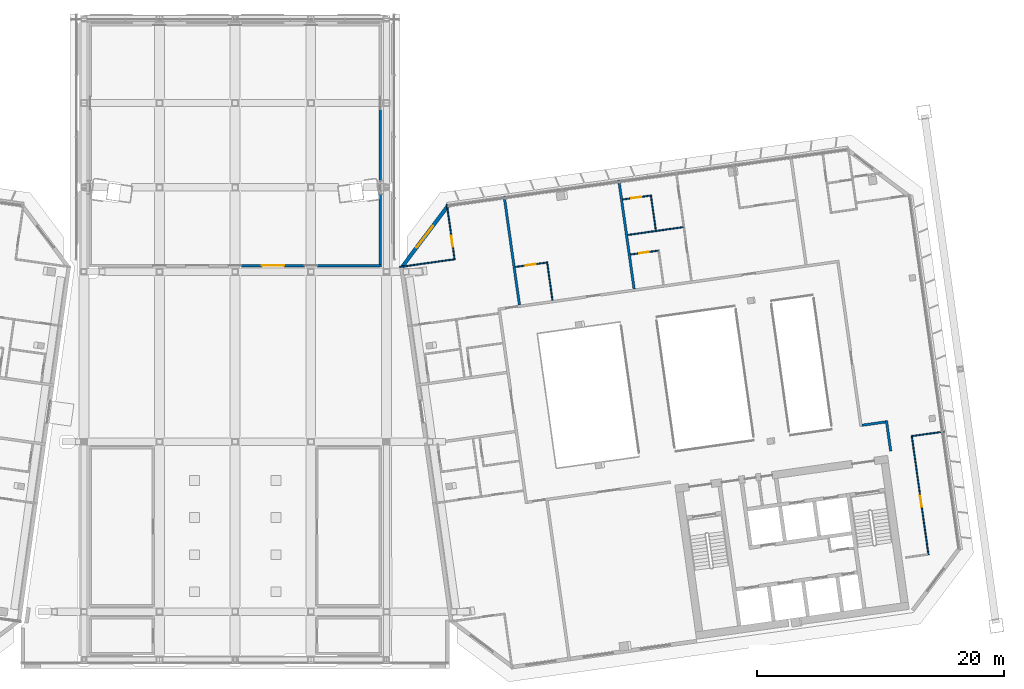
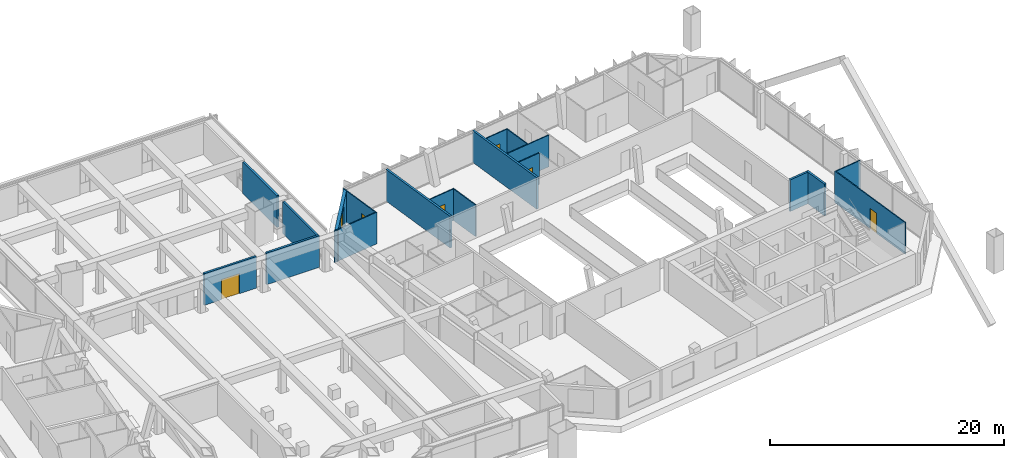
# One storey, part 20 of 28: 19 walls, 6 doors, 1 window, 7 openings.
"""IFC4 building model written with IfcOpenShell, lengths in metres."""

from ifc_helpers import new_model, si_unit, direction, frame, frame_2d, origin, place, context, subcontext, project, spatial, rectangle, extrude, material, layer, layer_set, type_object, element, fill, save


model = new_model("IFC4")

# Units and contexts
model_context = context("Model", 3, precision=1e-05, world=origin(), true_north=direction((0.0, 1.0)))
body_context = subcontext(model_context, "Body", "Model", "MODEL_VIEW")
ifc_project = project(units=[si_unit("LENGTHUNIT", "METRE"), si_unit("AREAUNIT", "SQUARE_METRE"), si_unit("VOLUMEUNIT", "CUBIC_METRE"), si_unit("PLANEANGLEUNIT", "RADIAN"), si_unit("MASSUNIT", "GRAM", prefix="KILO")], contexts=[model_context])

# Site, building, storey
site_placement = place(None, origin())
site = spatial("IfcSite", under=ifc_project, at=site_placement, CompositionType="ELEMENT")
building_placement = place(site_placement, origin())
building = spatial("IfcBuilding", under=site, at=building_placement, Name="Mirante Cascada Hotel Towers", CompositionType="ELEMENT")
storey_placement = place(building_placement, frame((0.0, 0.0, 262.2)))
storey = spatial("IfcBuildingStorey", under=building, at=storey_placement, Name="L63", CompositionType="ELEMENT", Elevation=262.2)

# Walls
ifc_material_1 = material(Name="Fire-rated plasterboard on metal studs")
ifc_layer_1 = layer(ifc_material_1, 0.2)
ifc_layer_set_1 = layer_set([ifc_layer_1], Name="Compartment wall 200 EI 120")
wall_type_1 = type_object("IfcWallType", Name="Compartment wall 200 EI 120", PredefinedType="PARTITIONING", material=ifc_layer_set_1)
wall_1_placement = place(storey_placement, frame((50.7737, -2.5139, 0.0), z_axis=(0.0, 0.0, 1.0), x_axis=(0.9902628, 0.1392105, 0.0)))
element("IfcWall", 1, at=wall_1_placement, inside=storey, type_object=wall_type_1, Name="Wall 2-L63-06", PredefinedType="PARTITIONING", context=body_context, shape_type="SweptSolid", body=[
    extrude(rectangle(XDim=1.9, YDim=0.2, at=frame_2d((0.95, 0.0))), origin(), (0.0, 0.0, 1.0), 3.3),
])
for number, where, z_axis, x_axis, name in (
    (2, (21.7859, 16.0323, 0.0), (0.0, 0.0, 1.0), (0.1391794, -0.9902672, 0.0), "Wall 2-L63-35"),
    (3, (31.0695, 17.337, 0.0), (0.0, 0.0, 1.0), (0.1391794, -0.9902672, 0.0), "Wall 2-L63-37"),
):
    element("IfcWall", number, at=place(storey_placement, frame(where, z_axis=z_axis, x_axis=x_axis)), inside=storey, type_object=wall_type_1, Name=name, PredefinedType="PARTITIONING", context=body_context, shape_type="SweptSolid", body=[
        extrude(rectangle(XDim=8.9, YDim=0.2, at=frame_2d((4.45, 0.0))), origin(), (0.0, 0.0, 1.0), 3.3),
    ])
wall_2_placement = place(storey_placement, frame((52.7403, -2.1365, 0.0), z_axis=(0.0, 0.0, 1.0), x_axis=(0.1391586, -0.9902701, 0.0)))
element("IfcWall", 4, at=wall_2_placement, inside=storey, type_object=wall_type_1, Name="Wall 2-L63-45", PredefinedType="PARTITIONING", context=body_context, shape_type="SweptSolid", body=[
    extrude(rectangle(XDim=2.5, YDim=0.2, at=frame_2d((1.25, 0.0))), origin(), (0.0, 0.0, 1.0), 3.3),
])

# Wall, opening, door
ifc_material_2 = material(Name="Masonry block", Category="masonry")
ifc_layer_2 = layer(ifc_material_2, 0.2)
ifc_layer_set_2 = layer_set([ifc_layer_2], Name="Deck room wall 200 block EI 120")
wall_type_2 = type_object("IfcWallType", Name="Deck room wall 200 block EI 120", PredefinedType="PARTITIONING", material=ifc_layer_set_2)
wall_3_placement = place(storey_placement, frame((0.5, 10.41, 0.0), z_axis=(0.0, 0.0, 1.0), x_axis=(1.0, 0.0, 0.0)))
wall_3 = element("IfcWall", 5, at=wall_3_placement, inside=storey, type_object=wall_type_2, Name="Sky park fire wall L63 W21", PredefinedType="PARTITIONING", context=body_context, shape_type="SweptSolid", body=[
    extrude(rectangle(XDim=5.13, YDim=0.2, at=frame_2d((2.565, 0.0))), origin(), (0.0, 0.0, 1.0), 3.3),
])
opening_1_placement = place(wall_3_placement, frame((1.665, 0.0, 0.0)))
opening_1 = element("IfcOpeningElement", 6, at=opening_1_placement, cuts=wall_3, Name="Opening DD-63-06", PredefinedType="OPENING", context=body_context, shape_type="SweptSolid", body=[
    extrude(rectangle(XDim=1.8, YDim=2.1, at=frame_2d((0.9, 1.05))), frame((0.0, 0.1, 0.0), z_axis=(0.0, -1.0, 0.0), x_axis=(1.0, 0.0, 0.0)), (0.0, 0.0, 1.0), 0.2),
])
ifc_material_3 = material(Name="Hollow metal fire door leaf")
door_type_1 = type_object("IfcDoorType", Name="Double fire door 1800x2100 FD60 self-closing", OperationType="DOUBLE_DOOR_SINGLE_SWING", PredefinedType="DOOR", material=ifc_material_3)
door_1_placement = place(opening_1_placement, frame((1.8, 0.0, 0.0), z_axis=(0.0, 0.0, 1.0), x_axis=(-1.0, 0.0, 0.0)))
door_1 = element("IfcDoor", 7, at=door_1_placement, inside=storey, type_object=door_type_1, Name="Fire door sky park L63 d6", OperationType="DOUBLE_DOOR_SINGLE_SWING", OverallHeight=2.1, OverallWidth=1.8, PredefinedType="DOOR", context=body_context, shape_type="SweptSolid", body=[
    extrude(rectangle(XDim=0.895, YDim=2.1, at=frame_2d((0.4475, 1.05))), frame((0.0, 0.025, 0.0), z_axis=(0.0, -1.0, 0.0), x_axis=(1.0, 0.0, 0.0)), (0.0, 0.0, 1.0), 0.05),
    extrude(rectangle(XDim=0.895, YDim=2.1, at=frame_2d((1.3525, 1.05))), frame((0.0, 0.025, 0.0), z_axis=(0.0, -1.0, 0.0), x_axis=(1.0, 0.0, 0.0)), (0.0, 0.0, 1.0), 0.05),
])
fill(opening_1, door_1)

# Walls
wall_4_placement = place(storey_placement, frame((6.63, 10.41, 0.0), z_axis=(0.0, 0.0, 1.0), x_axis=(1.0, 0.0, 0.0)))
element("IfcWall", 8, at=wall_4_placement, inside=storey, type_object=wall_type_2, Name="Sky park fire wall L63 W23", PredefinedType="PARTITIONING", context=body_context, shape_type="SweptSolid", body=[
    extrude(rectangle(XDim=5.22, YDim=0.2, at=frame_2d((2.61, 0.0))), origin(), (0.0, 0.0, 1.0), 3.3),
])
wall_5_placement = place(storey_placement, frame((11.75, 10.51, 0.0), z_axis=(0.0, 0.0, 1.0), x_axis=(0.0, 1.0, 0.0)))
element("IfcWall", 9, at=wall_5_placement, inside=storey, type_object=wall_type_2, Name="Sky park fire wall L63 W26", PredefinedType="PARTITIONING", context=body_context, shape_type="SweptSolid", body=[
    extrude(rectangle(XDim=5.74, YDim=0.2, at=frame_2d((2.87, 0.0))), origin(), (0.0, 0.0, 1.0), 3.3),
])
wall_6_placement = place(storey_placement, frame((11.75, 17.25, 0.0), z_axis=(0.0, 0.0, 1.0), x_axis=(0.0, 1.0, 0.0)))
element("IfcWall", 10, at=wall_6_placement, inside=storey, type_object=wall_type_2, Name="Sky park fire wall L63 W28", PredefinedType="PARTITIONING", context=body_context, shape_type="SweptSolid", body=[
    extrude(rectangle(XDim=5.83, YDim=0.2, at=frame_2d((2.915, 0.0))), origin(), (0.0, 0.0, 1.0), 3.3),
])
ifc_material_4 = material(Name="Plasterboard on metal studs")
ifc_layer_3 = layer(ifc_material_4, 0.1)
ifc_layer_set_3 = layer_set([ifc_layer_3], Name="Partition 100")
wall_type_3 = type_object("IfcWallType", Name="Partition 100", PredefinedType="PARTITIONING", material=ifc_layer_set_3)
wall_7_placement = place(storey_placement, frame((57.4099, -3.0286, 0.0), z_axis=(0.0, 0.0, 1.0), x_axis=(-0.9902712, -0.1391507, 0.0)))
element("IfcWall", 11, at=wall_7_placement, inside=storey, type_object=wall_type_3, Name="Wall 2-L63-05", PredefinedType="PARTITIONING", context=body_context, shape_type="SweptSolid", body=[
    extrude(rectangle(XDim=2.59, YDim=0.1, at=frame_2d((1.295, 0.0))), origin(), (0.0, 0.0, 1.0), 3.3),
])

# Wall, opening, door
wall_8_placement = place(storey_placement, frame((34.2456, 11.6235, 0.0), z_axis=(0.0, 0.0, 1.0), x_axis=(-0.9902643, -0.1391997, 0.0)))
wall_8 = element("IfcWall", 12, at=wall_8_placement, inside=storey, type_object=wall_type_3, Name="Wall 2-L63-15", PredefinedType="PARTITIONING", context=body_context, shape_type="SweptSolid", body=[
    extrude(rectangle(XDim=2.25, YDim=0.1, at=frame_2d((1.125, 0.0))), origin(), (0.0, 0.0, 1.0), 3.3),
])
opening_2_placement = place(wall_8_placement, frame((0.75, 0.0, 0.0)))
opening_2 = element("IfcOpeningElement", 13, at=opening_2_placement, cuts=wall_8, Name="Opening D2-L63-11", PredefinedType="OPENING", context=body_context, shape_type="SweptSolid", body=[
    extrude(rectangle(XDim=0.8, YDim=2.1, at=frame_2d((0.4, 1.05))), frame((0.0, 0.05, 0.0), z_axis=(0.0, -1.0, 0.0), x_axis=(1.0, 0.0, 0.0)), (0.0, 0.0, 1.0), 0.1),
])
ifc_material_5 = material(Name="Timber door leaf", Category="wood")
door_type_2 = type_object("IfcDoorType", Name="Bathroom door DG4 800x2100", OperationType="SINGLE_SWING_LEFT", PredefinedType="DOOR", material=ifc_material_5)
door_2_placement = place(opening_2_placement, origin())
door_2 = element("IfcDoor", 14, at=door_2_placement, inside=storey, type_object=door_type_2, Name="Door D2-L63-11", OperationType="SINGLE_SWING_LEFT", OverallHeight=2.1, OverallWidth=0.8, PredefinedType="DOOR", context=body_context, shape_type="SweptSolid", body=[
    extrude(rectangle(XDim=0.8, YDim=2.1, at=frame_2d((0.4, 1.05))), frame((0.0, 0.025, 0.0), z_axis=(0.0, -1.0, 0.0), x_axis=(1.0, 0.0, 0.0)), (0.0, 0.0, 1.0), 0.05),
])
fill(opening_2, door_2)

wall_9_placement = place(storey_placement, frame((22.6922, 10.3027, 0.0), z_axis=(0.0, 0.0, 1.0), x_axis=(0.9902677, 0.1391755, 0.0)))
wall_9 = element("IfcWall", 15, at=wall_9_placement, inside=storey, type_object=wall_type_3, Name="Wall 2-L63-16", PredefinedType="PARTITIONING", context=body_context, shape_type="SweptSolid", body=[
    extrude(rectangle(XDim=2.55, YDim=0.1, at=frame_2d((1.275, 0.0))), origin(), (0.0, 0.0, 1.0), 3.3),
])
opening_3_placement = place(wall_9_placement, frame((0.85, 0.0, 0.0)))
opening_3 = element("IfcOpeningElement", 16, at=opening_3_placement, cuts=wall_9, Name="Opening D2-L63-12", PredefinedType="OPENING", context=body_context, shape_type="SweptSolid", body=[
    extrude(rectangle(XDim=0.8, YDim=2.1, at=frame_2d((0.4, 1.05))), frame((0.0, 0.05, 0.0), z_axis=(0.0, -1.0, 0.0), x_axis=(1.0, 0.0, 0.0)), (0.0, 0.0, 1.0), 0.1),
])
door_3_placement = place(opening_3_placement, origin())
door_3 = element("IfcDoor", 17, at=door_3_placement, inside=storey, type_object=door_type_2, Name="Door D2-L63-12", OperationType="SINGLE_SWING_LEFT", OverallHeight=2.1, OverallWidth=0.8, PredefinedType="DOOR", context=body_context, shape_type="SweptSolid", body=[
    extrude(rectangle(XDim=0.8, YDim=2.1, at=frame_2d((0.4, 1.05))), frame((0.0, 0.025, 0.0), z_axis=(0.0, -1.0, 0.0), x_axis=(1.0, 0.0, 0.0)), (0.0, 0.0, 1.0), 0.05),
])
fill(opening_3, door_3)

# Walls
wall_10_placement = place(storey_placement, frame((13.3141, 10.2975, 0.0), z_axis=(0.0, 0.0, 1.0), x_axis=(0.9902695, 0.1391626, 0.0)))
element("IfcWall", 18, at=wall_10_placement, inside=storey, type_object=wall_type_3, Name="Wall 2-L63-18", PredefinedType="PARTITIONING", context=body_context, shape_type="SweptSolid", body=[
    extrude(rectangle(XDim=4.5501, YDim=0.1, at=frame_2d((2.275, 0.0))), origin(), (0.0, 0.0, 1.0), 3.3),
])
wall_11_placement = place(storey_placement, frame((36.2881, 13.5262, 0.0), z_axis=(0.0, 0.0, 1.0), x_axis=(-0.9902678, -0.1391748, 0.0)))
element("IfcWall", 19, at=wall_11_placement, inside=storey, type_object=wall_type_3, Name="Wall 2-L63-19", PredefinedType="PARTITIONING", context=body_context, shape_type="SweptSolid", body=[
    extrude(rectangle(XDim=4.5375, YDim=0.1, at=frame_2d((2.2688, 0.0))), origin(), (0.0, 0.0, 1.0), 3.3),
])

# Wall, opening, door
wall_12_placement = place(storey_placement, frame((31.3912, 15.7665, 0.0), z_axis=(0.0, 0.0, 1.0), x_axis=(0.9902643, 0.1391997, 0.0)))
wall_12 = element("IfcWall", 20, at=wall_12_placement, inside=storey, type_object=wall_type_3, Name="Wall 2-L63-24", PredefinedType="PARTITIONING", context=body_context, shape_type="SweptSolid", body=[
    extrude(rectangle(XDim=2.25, YDim=0.1, at=frame_2d((1.125, 0.0))), origin(), (0.0, 0.0, 1.0), 3.3),
])
opening_4_placement = place(wall_12_placement, frame((0.7, 0.0, 0.0)))
opening_4 = element("IfcOpeningElement", 21, at=opening_4_placement, cuts=wall_12, Name="Opening D2-L63-17", PredefinedType="OPENING", context=body_context, shape_type="SweptSolid", body=[
    extrude(rectangle(XDim=0.8, YDim=2.1, at=frame_2d((0.4, 1.05))), frame((0.0, 0.05, 0.0), z_axis=(0.0, -1.0, 0.0), x_axis=(1.0, 0.0, 0.0)), (0.0, 0.0, 1.0), 0.1),
])
door_4_placement = place(opening_4_placement, frame((0.8, 0.0, 0.0), z_axis=(0.0, 0.0, 1.0), x_axis=(-1.0, 0.0, 0.0)))
door_4 = element("IfcDoor", 22, at=door_4_placement, inside=storey, type_object=door_type_2, Name="Door D2-L63-17", OperationType="SINGLE_SWING_RIGHT", OverallHeight=2.1, OverallWidth=0.8, PredefinedType="DOOR", context=body_context, shape_type="SweptSolid", body=[
    extrude(rectangle(XDim=0.8, YDim=2.1, at=frame_2d((0.4, 1.05))), frame((0.0, 0.025, 0.0), z_axis=(0.0, -1.0, 0.0), x_axis=(1.0, 0.0, 0.0)), (0.0, 0.0, 1.0), 0.05),
])
fill(opening_4, door_4)

wall_13_placement = place(storey_placement, frame((17.7634, 10.9732, 0.0), z_axis=(0.0, 0.0, 1.0), x_axis=(-0.1391684, 0.9902687, 0.0)))
wall_13 = element("IfcWall", 23, at=wall_13_placement, inside=storey, type_object=wall_type_3, Name="Wall 2-L63-32", PredefinedType="PARTITIONING", context=body_context, shape_type="SweptSolid", body=[
    extrude(rectangle(XDim=4.45, YDim=0.1, at=frame_2d((2.225, 0.0))), origin(), (0.0, 0.0, 1.0), 3.3),
])
opening_5_placement = place(wall_13_placement, frame((0.9667, 0.0, 0.0)))
opening_5 = element("IfcOpeningElement", 24, at=opening_5_placement, cuts=wall_13, Name="Opening D2-L63-22", PredefinedType="OPENING", context=body_context, shape_type="SweptSolid", body=[
    extrude(rectangle(XDim=0.9, YDim=2.1, at=frame_2d((0.45, 1.05))), frame((0.0, 0.05, 0.0), z_axis=(0.0, -1.0, 0.0), x_axis=(1.0, 0.0, 0.0)), (0.0, 0.0, 1.0), 0.1),
])
ifc_material_6 = material(Name="Timber door leaf", Category="wood")
door_type_3 = type_object("IfcDoorType", Name="Room door DG3 900x2100", OperationType="SINGLE_SWING_LEFT", PredefinedType="DOOR", material=ifc_material_6)
door_5_placement = place(opening_5_placement, frame((0.9, 0.0, 0.0), z_axis=(0.0, 0.0, 1.0), x_axis=(-1.0, 0.0, 0.0)))
door_5 = element("IfcDoor", 25, at=door_5_placement, inside=storey, type_object=door_type_3, Name="Door D2-L63-22", OperationType="SINGLE_SWING_RIGHT", OverallHeight=2.1, OverallWidth=0.9, PredefinedType="DOOR", context=body_context, shape_type="SweptSolid", body=[
    extrude(rectangle(XDim=0.9, YDim=2.1, at=frame_2d((0.45, 1.05))), frame((0.0, 0.025, 0.0), z_axis=(0.0, -1.0, 0.0), x_axis=(1.0, 0.0, 0.0)), (0.0, 0.0, 1.0), 0.05),
])
fill(opening_5, door_5)

# Walls
wall_14_placement = place(storey_placement, frame((25.6983, 7.5947, 0.0), z_axis=(0.0, 0.0, 1.0), x_axis=(-0.1391765, 0.9902676, 0.0)))
element("IfcWall", 26, at=wall_14_placement, inside=storey, type_object=wall_type_3, Name="Wall 2-L63-36", PredefinedType="PARTITIONING", context=body_context, shape_type="SweptSolid", body=[
    extrude(rectangle(XDim=3.15, YDim=0.1, at=frame_2d((1.575, 0.0))), origin(), (0.0, 0.0, 1.0), 3.3),
])
wall_15_placement = place(storey_placement, frame((33.6619, 16.1361, 0.0), z_axis=(0.0, 0.0, 1.0), x_axis=(0.1391761, -0.9902676, 0.0)))
element("IfcWall", 27, at=wall_15_placement, inside=storey, type_object=wall_type_3, Name="Wall 2-L63-39", PredefinedType="PARTITIONING", context=body_context, shape_type="SweptSolid", body=[
    extrude(rectangle(XDim=2.8999, YDim=0.1, at=frame_2d((1.45, 0.0))), origin(), (0.0, 0.0, 1.0), 3.3),
])

# Wall, opening, door
wall_16_placement = place(storey_placement, frame((54.7886, -3.3465, 0.0), z_axis=(0.0, 0.0, 1.0), x_axis=(0.1391776, -0.9902674, 0.0)))
wall_16 = element("IfcWall", 28, at=wall_16_placement, inside=storey, type_object=wall_type_3, Name="Wall 2-L63-47", PredefinedType="PARTITIONING", context=body_context, shape_type="SweptSolid", body=[
    extrude(rectangle(XDim=9.7667, YDim=0.1, at=frame_2d((4.8834, 0.0))), origin(), (0.0, 0.0, 1.0), 3.3),
])
opening_6_placement = place(wall_16_placement, frame((4.9167, 0.0, 0.0)))
opening_6 = element("IfcOpeningElement", 29, at=opening_6_placement, cuts=wall_16, Name="Opening D2-L63-28", PredefinedType="OPENING", context=body_context, shape_type="SweptSolid", body=[
    extrude(rectangle(XDim=0.9, YDim=2.1, at=frame_2d((0.45, 1.05))), frame((0.0, 0.05, 0.0), z_axis=(0.0, -1.0, 0.0), x_axis=(1.0, 0.0, 0.0)), (0.0, 0.0, 1.0), 0.1),
])
door_6_placement = place(opening_6_placement, frame((0.9, 0.0, 0.0), z_axis=(0.0, 0.0, 1.0), x_axis=(-1.0, 0.0, 0.0)))
door_6 = element("IfcDoor", 30, at=door_6_placement, inside=storey, type_object=door_type_3, Name="Door D2-L63-28", OperationType="SINGLE_SWING_RIGHT", OverallHeight=2.1, OverallWidth=0.9, PredefinedType="DOOR", context=body_context, shape_type="SweptSolid", body=[
    extrude(rectangle(XDim=0.9, YDim=2.1, at=frame_2d((0.45, 1.05))), frame((0.0, 0.025, 0.0), z_axis=(0.0, -1.0, 0.0), x_axis=(1.0, 0.0, 0.0)), (0.0, 0.0, 1.0), 0.05),
])
fill(opening_6, door_6)

# Wall, opening, window
ifc_material_7 = material(Name="Precast concrete C40/50", Category="concrete")
ifc_layer_4 = layer(ifc_material_7, 0.3)
ifc_layer_set_4 = layer_set([ifc_layer_4], Name="Precast concrete C40/50 cladding wall 300")
wall_type_4 = type_object("IfcWallType", Name="Precast concrete C40/50 cladding wall 300", PredefinedType="STANDARD", material=ifc_layer_set_4)
wall_17_placement = place(storey_placement, frame((17.1892, 15.1905, 0.0), z_axis=(0.0, 0.0, 1.0), x_axis=(-0.6018141, -0.7986362, 0.0)))
wall_17 = element("IfcWall", 31, at=wall_17_placement, inside=storey, type_object=wall_type_4, Name="Corner cladding wall T2 L63 front inner", PredefinedType="STANDARD", context=body_context, shape_type="SweptSolid", body=[
    extrude(rectangle(XDim=6.1157, YDim=0.3, at=frame_2d((3.0578, 0.0))), origin(), (0.0, 0.0, 1.0), 3.3),
])
opening_7_placement = place(wall_17_placement, frame((1.9578, 0.0, 0.6)))
opening_7 = element("IfcOpeningElement", 32, at=opening_7_placement, cuts=wall_17, Name="Opening W2-63-06", PredefinedType="OPENING", context=body_context, shape_type="SweptSolid", body=[
    extrude(rectangle(XDim=2.2, YDim=2.4, at=frame_2d((1.1, 1.2))), frame((0.0, 0.15, 0.0), z_axis=(0.0, -1.0, 0.0), x_axis=(1.0, 0.0, 0.0)), (0.0, 0.0, 1.0), 0.3),
])
ifc_material_8 = material(Name="Aluminium frame with clear double glazing", Category="aluminium")
window_type = type_object("IfcWindowType", Name="Corner suite window 2200x2400", PartitioningType="DOUBLE_PANEL_VERTICAL", PredefinedType="WINDOW", material=ifc_material_8)
window_placement = place(opening_7_placement, origin())
window = element("IfcWindow", 33, at=window_placement, inside=storey, type_object=window_type, Name="Window W2-63-06", OverallHeight=2.4, OverallWidth=2.2, PartitioningType="SINGLE_PANEL", PredefinedType="WINDOW", context=body_context, shape_type="SweptSolid", body=[
    extrude(rectangle(XDim=2.2, YDim=2.4, at=frame_2d((1.1, 1.2))), frame((0.0, 0.03, 0.0), z_axis=(0.0, -1.0, 0.0), x_axis=(1.0, 0.0, 0.0)), (0.0, 0.0, 1.0), 0.06),
])
fill(opening_7, window)

save(model, "model.ifc")
